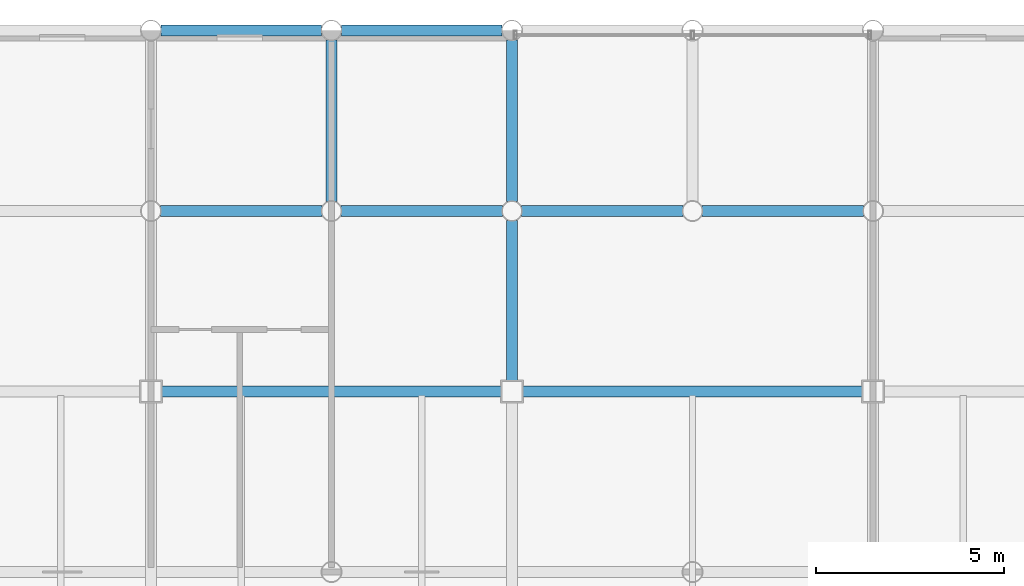
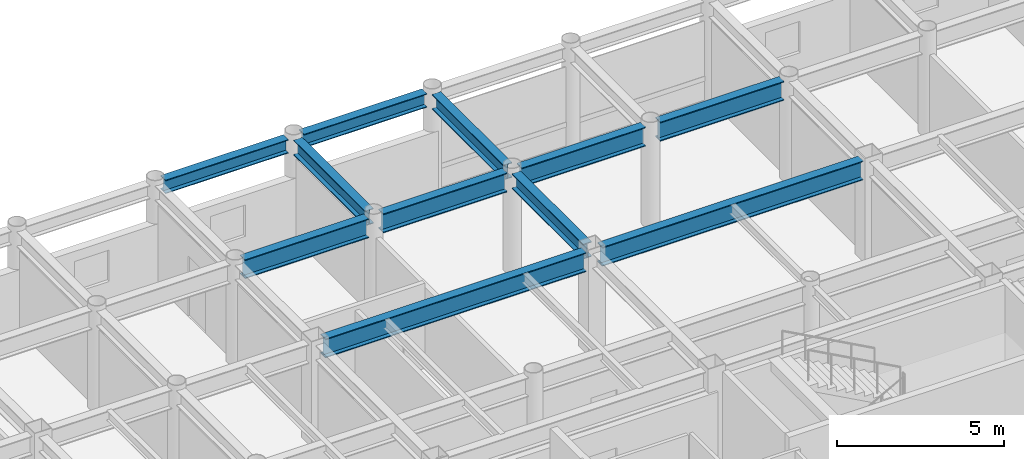
# One storey, part 13 of 22: 11 beams.
"""IFC4 building model written with IfcOpenShell, lengths in metres."""

from ifc_helpers import new_model, si_unit, direction, frame, origin, origin_2d, place, context, subcontext, project, spatial, i_section, extrude, material, material_profile, profile_set, type_object, element, save


model = new_model("IFC4")

# Units and contexts
model_context = context("Model", 3, precision=1e-05, world=origin(), true_north=direction((0.0, 1.0)))
body_context = subcontext(model_context, "Body", "Model", "MODEL_VIEW")
ifc_project = project(units=[si_unit("LENGTHUNIT", "METRE"), si_unit("AREAUNIT", "SQUARE_METRE"), si_unit("VOLUMEUNIT", "CUBIC_METRE"), si_unit("PLANEANGLEUNIT", "RADIAN"), si_unit("MASSUNIT", "GRAM", prefix="KILO")], contexts=[model_context])

# Site, building, storey
site_placement = place(None, origin())
site = spatial("IfcSite", under=ifc_project, at=site_placement, CompositionType="ELEMENT")
building_placement = place(site_placement, origin())
building = spatial("IfcBuilding", under=site, at=building_placement, Name="Kallvorn Hotel Tower", CompositionType="ELEMENT")
storey_placement = place(building_placement, frame((0.0, 0.0, 241.550048828125)))
storey = spatial("IfcBuildingStorey", under=building, at=storey_placement, Name="L60", CompositionType="ELEMENT", Elevation=241.550048828125)

# Beams
ifc_material_1 = material(Name="Structural steel S355JR", Category="steel")
ifc_material_profile_1 = material_profile(ifc_material_1, i_section(OverallWidth=0.300048828125, OverallDepth=0.5, WebThickness=0.014404296875, FlangeThickness=0.028076171875, at=origin_2d()), Name="HE 500 B")
ifc_profile_set_1 = profile_set([ifc_material_profile_1], Name="Structural steel S355JR")
beam_type_1 = type_object("IfcBeamType", Name="BM_HE500B", PredefinedType="SPANDREL", material=ifc_profile_set_1)
beam_1_placement = place(storey_placement, frame((-14.130615234375, 24.0, 3.419921875), z_axis=(1.0, 0.0, 0.0), x_axis=(0.0, 1.0, 0.0)))
element("IfcBeam", 1, at=beam_1_placement, inside=storey, type_object=beam_type_1, Name="L61 Perimeter Spandrel 165", PredefinedType="SPANDREL", context=body_context, shape_type="SweptSolid", body=[
    extrude(i_section(OverallWidth=0.300048828125, OverallDepth=0.5, WebThickness=0.014404296875, FlangeThickness=0.028076171875, at=origin_2d()), origin(), (0.0, 0.0, 1.0), 4.26123046875),
])
beam_2_placement = place(storey_placement, frame((-9.33056640625, 24.0, 3.419921875), z_axis=(1.0, 0.0, 0.0), x_axis=(0.0, 1.0, 0.0)))
element("IfcBeam", 2, at=beam_2_placement, inside=storey, type_object=beam_type_1, Name="L61 Perimeter Spandrel 166", PredefinedType="SPANDREL", context=body_context, shape_type="SweptSolid", body=[
    extrude(i_section(OverallWidth=0.300048828125, OverallDepth=0.5, WebThickness=0.014404296875, FlangeThickness=0.028076171875, at=origin_2d()), origin(), (0.0, 0.0, 1.0), 4.260986328125),
])
ifc_material_2 = material(Name="Structural steel S355JR", Category="steel")
ifc_material_profile_2 = material_profile(ifc_material_2, i_section(OverallWidth=0.300048828125, OverallDepth=0.550048828125, WebThickness=0.014892578125, FlangeThickness=0.029052734375, at=origin_2d()), Name="HE 550 B")
ifc_profile_set_2 = profile_set([ifc_material_profile_2], Name="Structural steel S355JR")
beam_type_2 = type_object("IfcBeamType", Name="BM_HE550B", PredefinedType="SPANDREL", material=ifc_profile_set_2)
beam_3_placement = place(storey_placement, frame((-9.60009765625, 19.45458984375, 3.39501953125), z_axis=(0.0, 1.0, 0.0), x_axis=(-1.0, 0.0, 0.0)))
element("IfcBeam", 3, at=beam_3_placement, inside=storey, type_object=beam_type_2, Name="L61 Primary Y-Girder 104", PredefinedType="SPANDREL", context=body_context, shape_type="SweptSolid", body=[
    extrude(i_section(OverallWidth=0.300048828125, OverallDepth=0.550048828125, WebThickness=0.014892578125, FlangeThickness=0.029052734375, at=origin_2d()), origin(), (0.0, 0.0, 1.0), 4.291015625),
])
beam_4_placement = place(storey_placement, frame((-4.800048828125, 14.675048828125, 3.39501953125), z_axis=(0.0, 1.0, 0.0), x_axis=(-1.0, 0.0, 0.0)))
element("IfcBeam", 4, at=beam_4_placement, inside=storey, type_object=beam_type_2, Name="L61 Primary Y-Girder 108", PredefinedType="SPANDREL", context=body_context, shape_type="SweptSolid", body=[
    extrude(i_section(OverallWidth=0.300048828125, OverallDepth=0.550048828125, WebThickness=0.014892578125, FlangeThickness=0.029052734375, at=origin_2d()), origin(), (0.0, 0.0, 1.0), 4.2705078125),
])
beam_5_placement = place(storey_placement, frame((-4.800048828125, 19.45458984375, 3.39501953125), z_axis=(0.0, 1.0, 0.0), x_axis=(-1.0, 0.0, 0.0)))
element("IfcBeam", 5, at=beam_5_placement, inside=storey, type_object=beam_type_2, Name="L61 Primary Y-Girder 109", PredefinedType="SPANDREL", context=body_context, shape_type="SweptSolid", body=[
    extrude(i_section(OverallWidth=0.300048828125, OverallDepth=0.550048828125, WebThickness=0.014892578125, FlangeThickness=0.029052734375, at=origin_2d()), origin(), (0.0, 0.0, 1.0), 4.291015625),
])
ifc_material_3 = material(Name="Structural steel S355JR", Category="steel")
ifc_material_profile_3 = material_profile(ifc_material_3, i_section(OverallWidth=0.300048828125, OverallDepth=0.699951171875, WebThickness=0.01708984375, FlangeThickness=0.031982421875, at=origin_2d()), Name="HE 700 B")
ifc_profile_set_3 = profile_set([ifc_material_profile_3], Name="Structural steel S355JR")
beam_type_3 = type_object("IfcBeamType", Name="BM_HE700B", PredefinedType="BEAM", material=ifc_profile_set_3)
beam_6_placement = place(storey_placement, frame((-14.125, 14.39990234375, 3.320068359375), z_axis=(1.0, 0.0, 0.0), x_axis=(0.0, 1.0, 0.0)))
element("IfcBeam", 6, at=beam_6_placement, inside=storey, type_object=beam_type_3, Name="L61 Primary X-Girder 53", PredefinedType="BEAM", context=body_context, shape_type="SweptSolid", body=[
    extrude(i_section(OverallWidth=0.300048828125, OverallDepth=0.699951171875, WebThickness=0.01708984375, FlangeThickness=0.031982421875, at=origin_2d()), origin(), (0.0, 0.0, 1.0), 9.050048828125),
])
beam_7_placement = place(storey_placement, frame((-4.52490234375, 14.39990234375, 3.320068359375), z_axis=(1.0, 0.0, 0.0), x_axis=(0.0, 1.0, 0.0)))
element("IfcBeam", 7, at=beam_7_placement, inside=storey, type_object=beam_type_3, Name="L61 Primary X-Girder 54", PredefinedType="BEAM", context=body_context, shape_type="SweptSolid", body=[
    extrude(i_section(OverallWidth=0.300048828125, OverallDepth=0.699951171875, WebThickness=0.01708984375, FlangeThickness=0.031982421875, at=origin_2d()), origin(), (0.0, 0.0, 1.0), 9.0498046875),
])
for number, where, z_axis, x_axis, name in (
    (8, (-14.1455078125, 19.199951171875, 3.320068359375), (1.0, 0.0, 0.0), (0.0, 1.0, 0.0), "L61 Primary X-Girder 63"),
    (9, (-9.345458984375, 19.199951171875, 3.320068359375), (1.0, 0.0, 0.0), (0.0, 1.0, 0.0), "L61 Primary X-Girder 64"),
    (10, (-4.54541015625, 19.199951171875, 3.320068359375), (1.0, 0.0, 0.0), (0.0, 1.0, 0.0), "L61 Primary X-Girder 65"),
    (11, (0.25439453125, 19.199951171875, 3.320068359375), (1.0, 0.0, 0.0), (0.0, 1.0, 0.0), "L61 Primary X-Girder 66"),
):
    element("IfcBeam", number, at=place(storey_placement, frame(where, z_axis=z_axis, x_axis=x_axis)), inside=storey, type_object=beam_type_3, Name=name, PredefinedType="BEAM", context=body_context, shape_type="SweptSolid", body=[
        extrude(i_section(OverallWidth=0.300048828125, OverallDepth=0.699951171875, WebThickness=0.01708984375, FlangeThickness=0.031982421875, at=origin_2d()), origin(), (0.0, 0.0, 1.0), 4.291015625),
    ])

save(model, "model.ifc")
